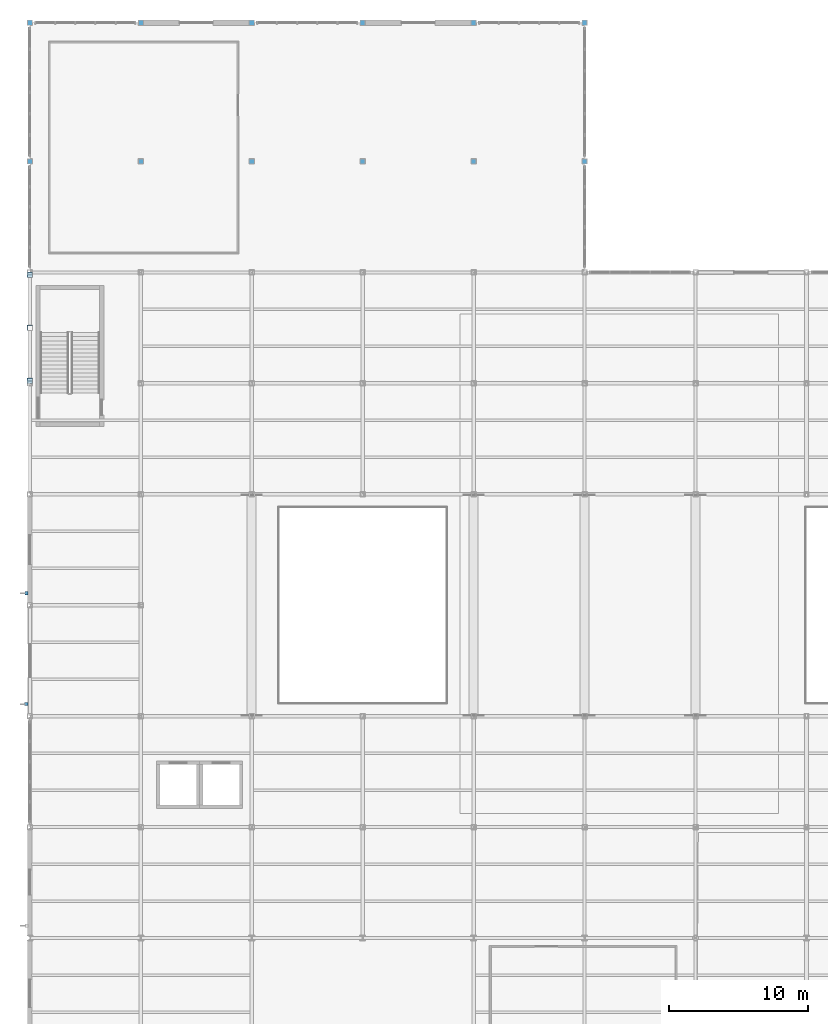
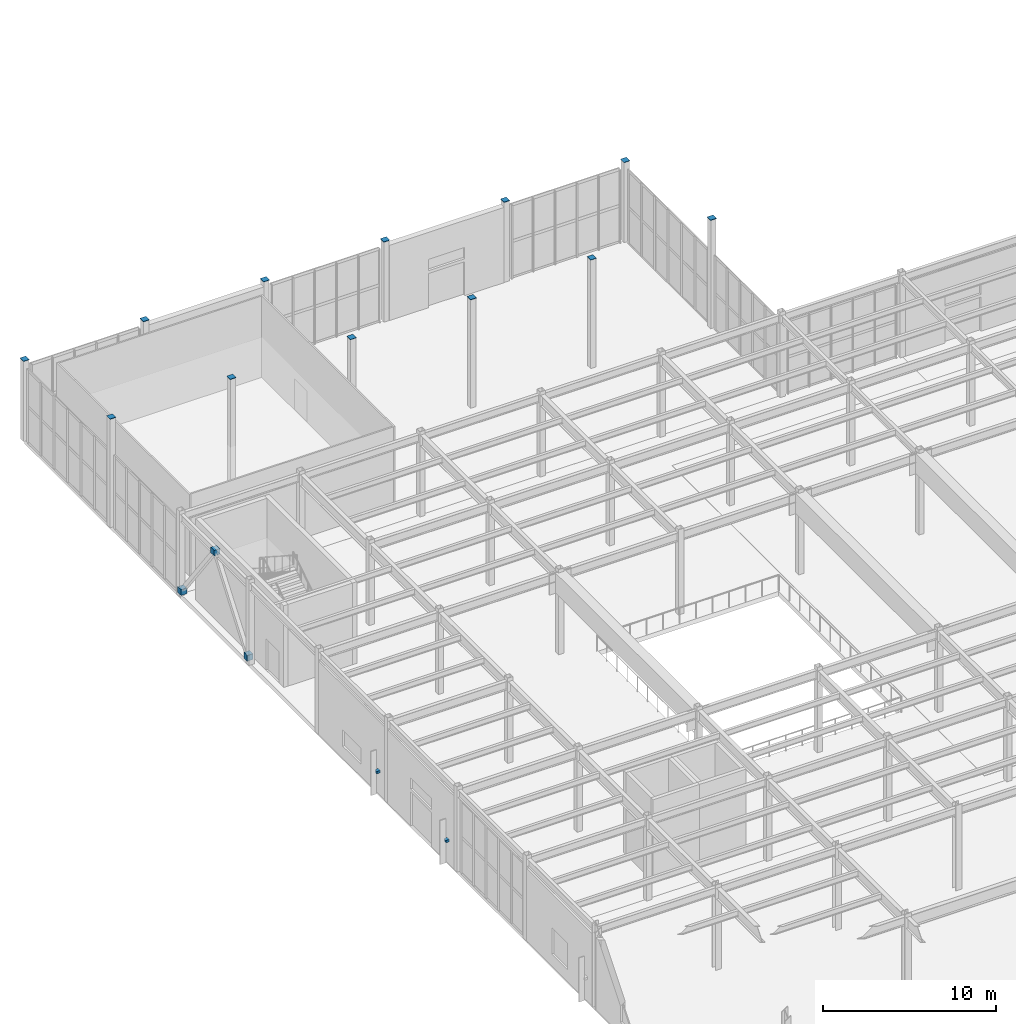
# One storey, part 68 of 82: 17 discrete accessories.
"""IFC4 building model written with IfcOpenShell, lengths in metres."""

from ifc_helpers import new_model, si_unit, direction, frame, origin, origin_2d, place, context, subcontext, project, spatial, rectangle, extrude, material, type_object, element, save


model = new_model("IFC4")

# Units and contexts
model_context = context("Model", 3, precision=1e-05, world=origin(), true_north=direction((0.0, 1.0)))
body_context = subcontext(model_context, "Body", "Model", "MODEL_VIEW")
ifc_project = project(units=[si_unit("LENGTHUNIT", "METRE"), si_unit("AREAUNIT", "SQUARE_METRE"), si_unit("VOLUMEUNIT", "CUBIC_METRE"), si_unit("PLANEANGLEUNIT", "RADIAN"), si_unit("MASSUNIT", "GRAM", prefix="KILO")], contexts=[model_context])

# Site, building, storey
site_placement = place(None, origin())
site = spatial("IfcSite", under=ifc_project, at=site_placement, CompositionType="ELEMENT")
building_placement = place(site_placement, origin())
building = spatial("IfcBuilding", under=site, at=building_placement, Name="Drelvath Fold Interchange", CompositionType="ELEMENT")
storey_placement = place(building_placement, origin())
storey = spatial("IfcBuildingStorey", under=building, at=storey_placement, Name="L00", CompositionType="ELEMENT", Elevation=0.0)

# Discrete accessories
ifc_material_1 = material(Name="Stainless Steel 316L", Category="steel")
discrete_accessory_type_1 = type_object("IfcDiscreteAccessoryType", Name="AC-BRK220", PredefinedType="BRACKET", material=ifc_material_1)
for number, where, z_axis, x_axis, name in (
    (1, (3.75, 67.8740234375, 1.56982421875), (0.0, 0.0, 1.0), (1.0, 0.0, 0.0), "Solar fin bracket 1"),
    (2, (3.762939453125, 75.8740234375, 1.56982421875), (0.0, 0.0, 1.0), (1.0, 0.0, 0.0), "Solar fin bracket 2"),
):
    element("IfcDiscreteAccessory", number, at=place(storey_placement, frame(where, z_axis=z_axis, x_axis=x_axis)), inside=storey, type_object=discrete_accessory_type_1, Name=name, PredefinedType="BRACKET", context=body_context, shape_type="SweptSolid", body=[
        extrude(rectangle(XDim=0.239990234375, YDim=0.239990234375, at=origin_2d()), origin(), (0.0, 0.0, 1.0), 0.159912109375),
    ])
ifc_material_2 = material(Name="Steel ASTM A572 Grade 50", Category="steel")
discrete_accessory_type_2 = type_object("IfcDiscreteAccessoryType", Name="AC-CAP380", PredefinedType="BRACKET", material=ifc_material_2)
for number, where, z_axis, x_axis, name in (
    (3, (4.0, 107.0, 7.64013671875), (0.0, 0.0, 1.0), (1.0, 0.0, 0.0), "Welded hollow column end cap 1"),
    (4, (4.0, 117.0, 5.64013671875), (0.0, 0.0, 1.0), (1.0, 0.0, 0.0), "Welded hollow column end cap 2"),
    (5, (12.0, 107.0, 7.64013671875), (0.0, 0.0, 1.0), (1.0, 0.0, 0.0), "Welded hollow column end cap 3"),
    (6, (12.0, 117.0, 5.64013671875), (0.0, 0.0, 1.0), (1.0, 0.0, 0.0), "Welded hollow column end cap 4"),
    (7, (20.0, 107.0, 7.64013671875), (0.0, 0.0, 1.0), (1.0, 0.0, 0.0), "Welded hollow column end cap 5"),
    (8, (20.0, 117.0, 5.64013671875), (0.0, 0.0, 1.0), (1.0, 0.0, 0.0), "Welded hollow column end cap 6"),
    (9, (28.0, 107.0, 7.64013671875), (0.0, 0.0, 1.0), (1.0, 0.0, 0.0), "Welded hollow column end cap 7"),
    (10, (28.0, 117.0, 5.64013671875), (0.0, 0.0, 1.0), (1.0, 0.0, 0.0), "Welded hollow column end cap 8"),
    (11, (36.0, 107.0, 7.64013671875), (0.0, 0.0, 1.0), (1.0, 0.0, 0.0), "Welded hollow column end cap 9"),
    (12, (36.0, 117.0, 5.64013671875), (0.0, 0.0, 1.0), (1.0, 0.0, 0.0), "Welded hollow column end cap 10"),
    (13, (44.0, 107.0, 7.64013671875), (0.0, 0.0, 1.0), (1.0, 0.0, 0.0), "Welded hollow column end cap 11"),
    (14, (44.0, 117.0, 5.64013671875), (0.0, 0.0, 1.0), (1.0, 0.0, 0.0), "Welded hollow column end cap 12"),
):
    element("IfcDiscreteAccessory", number, at=place(storey_placement, frame(where, z_axis=z_axis, x_axis=x_axis)), inside=storey, type_object=discrete_accessory_type_2, Name=name, PredefinedType="BRACKET", context=body_context, shape_type="SweptSolid", body=[
        extrude(rectangle(XDim=0.39599609375, YDim=0.39599609375, at=origin_2d()), origin(), (0.0, 0.0, 1.0), 0.030029296875),
    ])
for number, where, z_axis, x_axis, name in (
    (15, (4.0, 91.18310546875, 0.20703125), (0.0, 0.0, 1.0), (1.0, 0.0, 0.0), "Welded hollow member end cap 548"),
    (16, (4.0, 95.0029296875, 5.298095703125), (0.0, 0.0, 1.0), (1.0, 0.0, 0.0), "Welded hollow member end cap 549"),
    (17, (4.0, 98.81689453125, 0.20703125), (0.0, 0.0, 1.0), (1.0, 0.0, 0.0), "Welded hollow member end cap 550"),
):
    element("IfcDiscreteAccessory", number, at=place(storey_placement, frame(where, z_axis=z_axis, x_axis=x_axis)), inside=storey, type_object=discrete_accessory_type_2, Name=name, PredefinedType="BRACKET", context=body_context, shape_type="SweptSolid", body=[
        extrude(rectangle(XDim=0.39404296875, YDim=0.39404296875, at=origin_2d()), origin(), (0.0, 0.0, 1.0), 0.39404296875),
    ])

save(model, "model.ifc")
